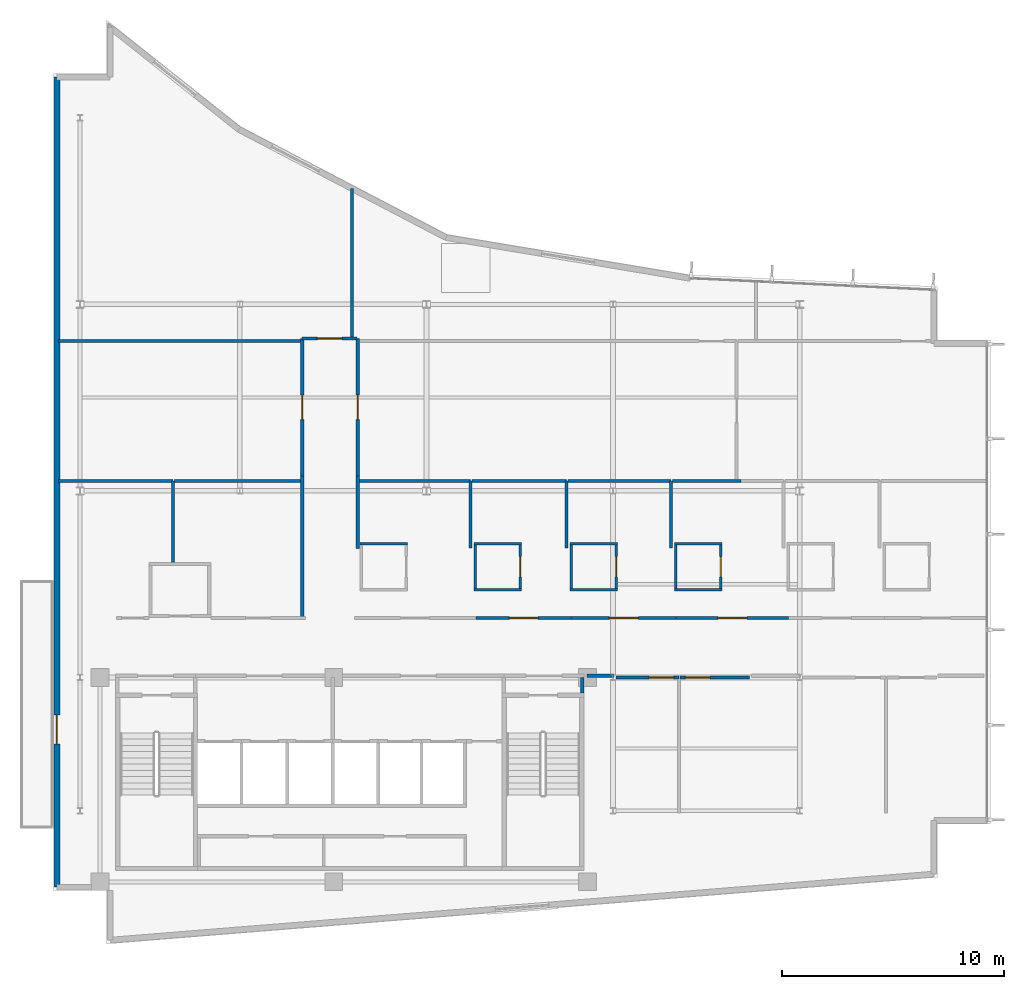
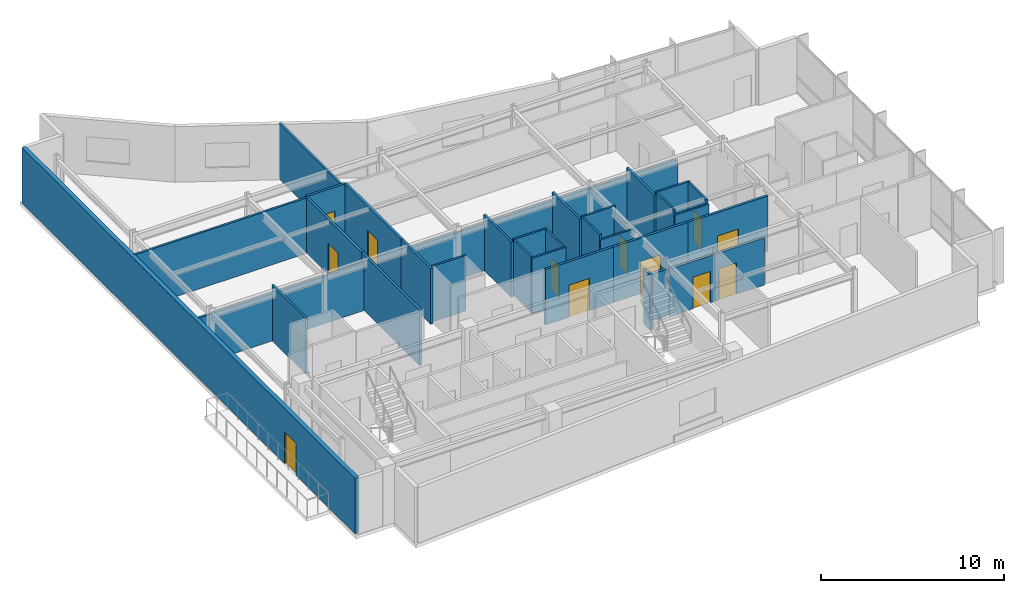
# One storey, part 11 of 16: 38 walls, 12 doors, 12 openings.
"""IFC4 building model written with IfcOpenShell, lengths in metres."""

from ifc_helpers import new_model, si_unit, direction, frame, frame_2d, origin, place, context, subcontext, project, spatial, rectangle, extrude, material, layer, layer_set, type_object, element, fill, save


model = new_model("IFC4")

# Units and contexts
model_context = context("Model", 3, precision=1e-05, world=origin(), true_north=direction((0.0, 1.0)))
body_context = subcontext(model_context, "Body", "Model", "MODEL_VIEW")
ifc_project = project(units=[si_unit("LENGTHUNIT", "METRE"), si_unit("AREAUNIT", "SQUARE_METRE"), si_unit("VOLUMEUNIT", "CUBIC_METRE"), si_unit("PLANEANGLEUNIT", "RADIAN"), si_unit("MASSUNIT", "GRAM", prefix="KILO")], contexts=[model_context])

# Site, building, storey
site_placement = place(None, origin())
site = spatial("IfcSite", under=ifc_project, at=site_placement, CompositionType="ELEMENT")
building_placement = place(site_placement, origin())
building = spatial("IfcBuilding", under=site, at=building_placement, Name="Varnakote Quay Hospital", CompositionType="ELEMENT")
storey_placement = place(building_placement, frame((0.0, 0.0, 260.5)))
storey = spatial("IfcBuildingStorey", under=building, at=storey_placement, Name="L64", CompositionType="ELEMENT", Elevation=260.5)

# Walls
ifc_material_1 = material(Name="Fire-rated acoustic gypsum stud wall", Category="gypsum")
ifc_layer_1 = layer(ifc_material_1, 0.159912109375)
ifc_layer_set_1 = layer_set([ifc_layer_1], Name="Fire-rated acoustic gypsum stud wall")
wall_type_1 = type_object("IfcWallType", Name="WL-COMP-160", PredefinedType="PARTITIONING", material=ifc_layer_set_1)
wall_1_placement = place(storey_placement, frame((23.820068359375, 11.300048828125, 0.0), z_axis=(0.0, 0.0, 1.0), x_axis=(0.0, 1.0, 0.0)))
element("IfcWall", 1, at=wall_1_placement, inside=storey, type_object=wall_type_1, Name="L64 East Stair Vestibule East Wall", PredefinedType="PARTITIONING", context=body_context, shape_type="SweptSolid", body=[
    extrude(rectangle(XDim=0.699951171875, YDim=0.159912109375, at=frame_2d((0.35009765625, 0.0))), origin(), (0.0, 0.0, 1.0), 3.7099609375),
])
wall_2_placement = place(storey_placement, frame((24.02001953125, 12.080078125, 0.0), z_axis=(0.0, 0.0, 1.0), x_axis=(1.0, 0.0, 0.0)))
element("IfcWall", 2, at=wall_2_placement, inside=storey, type_object=wall_type_1, Name="L64 Corridor South Gap Wall", PredefinedType="PARTITIONING", context=body_context, shape_type="SweptSolid", body=[
    extrude(rectangle(XDim=1.2177734375, YDim=0.159912109375, at=frame_2d((0.60888671875, 0.0))), origin(), (0.0, 0.0, 1.0), 3.156982421875),
])
ifc_material_2 = material(Name="Moisture-resistant bathroom partition", Category="gypsum")
ifc_layer_2 = layer(ifc_material_2, 0.114990234375)
ifc_layer_set_2 = layer_set([ifc_layer_2], Name="Moisture-resistant bathroom partition")
wall_type_2 = type_object("IfcWallType", Name="WL-ENS-115", PredefinedType="PARTITIONING", material=ifc_layer_set_2)
wall_3_placement = place(storey_placement, frame((13.804931640625, 18.017578125, 0.0), z_axis=(0.0, 0.0, 1.0), x_axis=(1.0, 0.0, 0.0)))
element("IfcWall", 3, at=wall_3_placement, inside=storey, type_object=wall_type_2, Name="L64 Inpatient En-Suite Bathroom 01 N Wall", PredefinedType="PARTITIONING", context=body_context, shape_type="SweptSolid", body=[
    extrude(rectangle(XDim=2.150146484375, YDim=0.114990234375, at=frame_2d((1.0751953125, 0.0))), origin(), (0.0, 0.0, 1.0), 3.7099609375),
])
for number, where, z_axis, x_axis, name in (
    (4, (18.93505859375, 15.952392578125, 0.0), (0.0, 0.0, 1.0), (1.0, 0.0, 0.0), "L64 Inpatient En-Suite Bathroom 02 S Wall"),
    (5, (18.93505859375, 18.017578125, 0.0), (0.0, 0.0, 1.0), (1.0, 0.0, 0.0), "L64 Inpatient En-Suite Bathroom 02 N Wall"),
):
    element("IfcWall", number, at=place(storey_placement, frame(where, z_axis=z_axis, x_axis=x_axis)), inside=storey, type_object=wall_type_2, Name=name, PredefinedType="PARTITIONING", context=body_context, shape_type="SweptSolid", body=[
        extrude(rectangle(XDim=2.14990234375, YDim=0.114990234375, at=frame_2d((1.074951171875, 0.0))), origin(), (0.0, 0.0, 1.0), 3.7099609375),
    ])
wall_4_placement = place(storey_placement, frame((18.992431640625, 16.010009765625, 0.0), z_axis=(0.0, 0.0, 1.0), x_axis=(0.0, 1.0, 0.0)))
element("IfcWall", 6, at=wall_4_placement, inside=storey, type_object=wall_type_2, Name="L64 Inpatient En-Suite Bathroom 02 W Wall", PredefinedType="PARTITIONING", context=body_context, shape_type="SweptSolid", body=[
    extrude(rectangle(XDim=1.949951171875, YDim=0.114990234375, at=frame_2d((0.97509765625, 0.0))), origin(), (0.0, 0.0, 1.0), 3.7099609375),
])

# Wall, opening, door
wall_5_placement = place(storey_placement, frame((21.027587890625, 16.010009765625, 0.0), z_axis=(0.0, 0.0, 1.0), x_axis=(0.0, 1.0, 0.0)))
wall_5 = element("IfcWall", 7, at=wall_5_placement, inside=storey, type_object=wall_type_2, Name="L64 Inpatient En-Suite Bathroom 02 E Wall", PredefinedType="PARTITIONING", context=body_context, shape_type="SweptSolid", body=[
    extrude(rectangle(XDim=1.949951171875, YDim=0.114990234375, at=frame_2d((0.97509765625, 0.0))), origin(), (0.0, 0.0, 1.0), 3.7099609375),
])
opening_1_placement = place(wall_5_placement, frame((0.514892578125, 0.0, 0.0)))
opening_1 = element("IfcOpeningElement", 8, at=opening_1_placement, cuts=wall_5, Name="Opening D-L64-ENS02", PredefinedType="OPENING", context=body_context, shape_type="SweptSolid", body=[
    extrude(rectangle(XDim=0.919921875, YDim=2.10009765625, at=frame_2d((0.4599609375, 1.050048828125))), frame((0.0, 0.0673828125, 0.0), z_axis=(0.0, -1.0, 0.0), x_axis=(1.0, 0.0, 0.0)), (0.0, 0.0, 1.0), 0.135009765625),
])
ifc_material_3 = material(Name="Moisture-sealed en-suite bathroom door")
door_type_1 = type_object("IfcDoorType", Name="DR-ENS-920x2100", OperationType="NOTDEFINED", PredefinedType="DOOR", material=ifc_material_3)
door_1_placement = place(opening_1_placement, origin())
door_1 = element("IfcDoor", 9, at=door_1_placement, inside=storey, type_object=door_type_1, Name="L64 Inpatient En-Suite Bathroom 02 Door", OperationType="SINGLE_SWING_RIGHT", OverallHeight=2.10009765625, OverallWidth=0.919921875, PredefinedType="DOOR", context=body_context, shape_type="SweptSolid", body=[
    extrude(rectangle(XDim=0.919921875, YDim=2.10009765625, at=frame_2d((0.4599609375, 1.050048828125))), frame((0.0, 0.02490234375, 0.0), z_axis=(0.0, -1.0, 0.0), x_axis=(1.0, 0.0, 0.0)), (0.0, 0.0, 1.0), 0.050048828125),
])
fill(opening_1, door_1)

# Walls
wall_6_placement = place(storey_placement, frame((23.2548828125, 15.952392578125, 0.0), z_axis=(0.0, 0.0, 1.0), x_axis=(1.0, 0.0, 0.0)))
element("IfcWall", 10, at=wall_6_placement, inside=storey, type_object=wall_type_2, Name="L64 Inpatient En-Suite Bathroom 03 S Wall", PredefinedType="PARTITIONING", context=body_context, shape_type="SweptSolid", body=[
    extrude(rectangle(XDim=2.150146484375, YDim=0.114990234375, at=frame_2d((1.0751953125, 0.0))), origin(), (0.0, 0.0, 1.0), 3.428955078125),
])
wall_7_placement = place(storey_placement, frame((23.2548828125, 18.017578125, 0.0), z_axis=(0.0, 0.0, 1.0), x_axis=(1.0, 0.0, 0.0)))
element("IfcWall", 11, at=wall_7_placement, inside=storey, type_object=wall_type_2, Name="L64 Inpatient En-Suite Bathroom 03 N Wall", PredefinedType="PARTITIONING", context=body_context, shape_type="SweptSolid", body=[
    extrude(rectangle(XDim=2.150146484375, YDim=0.114990234375, at=frame_2d((1.0751953125, 0.0))), origin(), (0.0, 0.0, 1.0), 3.7099609375),
])
wall_8_placement = place(storey_placement, frame((23.3125, 16.010009765625, 0.0), z_axis=(0.0, 0.0, 1.0), x_axis=(0.0, 1.0, 0.0)))
element("IfcWall", 12, at=wall_8_placement, inside=storey, type_object=wall_type_2, Name="L64 Inpatient En-Suite Bathroom 03 W Wall", PredefinedType="PARTITIONING", context=body_context, shape_type="SweptSolid", body=[
    extrude(rectangle(XDim=1.949951171875, YDim=0.114990234375, at=frame_2d((0.97509765625, 0.0))), origin(), (0.0, 0.0, 1.0), 3.7099609375),
])

# Wall, opening, door
wall_9_placement = place(storey_placement, frame((25.347412109375, 16.010009765625, 0.0), z_axis=(0.0, 0.0, 1.0), x_axis=(0.0, 1.0, 0.0)))
wall_9 = element("IfcWall", 13, at=wall_9_placement, inside=storey, type_object=wall_type_2, Name="L64 Inpatient En-Suite Bathroom 03 E Wall", PredefinedType="PARTITIONING", context=body_context, shape_type="SweptSolid", body=[
    extrude(rectangle(XDim=1.949951171875, YDim=0.114990234375, at=frame_2d((0.97509765625, 0.0))), origin(), (0.0, 0.0, 1.0), 3.156982421875),
])
opening_2_placement = place(wall_9_placement, frame((0.514892578125, 0.0, 0.0)))
opening_2 = element("IfcOpeningElement", 14, at=opening_2_placement, cuts=wall_9, Name="Opening D-L64-ENS03", PredefinedType="OPENING", context=body_context, shape_type="SweptSolid", body=[
    extrude(rectangle(XDim=0.919921875, YDim=2.10009765625, at=frame_2d((0.4599609375, 1.050048828125))), frame((0.0, 0.0673828125, 0.0), z_axis=(0.0, -1.0, 0.0), x_axis=(1.0, 0.0, 0.0)), (0.0, 0.0, 1.0), 0.135009765625),
])
door_2_placement = place(opening_2_placement, origin())
door_2 = element("IfcDoor", 15, at=door_2_placement, inside=storey, type_object=door_type_1, Name="L64 Inpatient En-Suite Bathroom 03 Door", OperationType="SINGLE_SWING_LEFT", OverallHeight=2.10009765625, OverallWidth=0.919921875, PredefinedType="DOOR", context=body_context, shape_type="SweptSolid", body=[
    extrude(rectangle(XDim=0.919921875, YDim=2.10009765625, at=frame_2d((0.4599609375, 1.050048828125))), frame((0.0, 0.02490234375, 0.0), z_axis=(0.0, -1.0, 0.0), x_axis=(1.0, 0.0, 0.0)), (0.0, 0.0, 1.0), 0.050048828125),
])
fill(opening_2, door_2)

# Walls
wall_10_placement = place(storey_placement, frame((27.955078125, 15.952392578125, 0.0), z_axis=(0.0, 0.0, 1.0), x_axis=(1.0, 0.0, 0.0)))
element("IfcWall", 16, at=wall_10_placement, inside=storey, type_object=wall_type_2, Name="L64 Inpatient En-Suite Bathroom 04 S Wall", PredefinedType="PARTITIONING", context=body_context, shape_type="SweptSolid", body=[
    extrude(rectangle(XDim=2.14990234375, YDim=0.114990234375, at=frame_2d((1.074951171875, 0.0))), origin(), (0.0, 0.0, 1.0), 3.428955078125),
])
wall_11_placement = place(storey_placement, frame((27.955078125, 18.017578125, 0.0), z_axis=(0.0, 0.0, 1.0), x_axis=(1.0, 0.0, 0.0)))
element("IfcWall", 17, at=wall_11_placement, inside=storey, type_object=wall_type_2, Name="L64 Inpatient En-Suite Bathroom 04 N Wall", PredefinedType="PARTITIONING", context=body_context, shape_type="SweptSolid", body=[
    extrude(rectangle(XDim=2.14990234375, YDim=0.114990234375, at=frame_2d((1.074951171875, 0.0))), origin(), (0.0, 0.0, 1.0), 3.7099609375),
])
wall_12_placement = place(storey_placement, frame((28.012451171875, 16.010009765625, 0.0), z_axis=(0.0, 0.0, 1.0), x_axis=(0.0, 1.0, 0.0)))
element("IfcWall", 18, at=wall_12_placement, inside=storey, type_object=wall_type_2, Name="L64 Inpatient En-Suite Bathroom 04 W Wall", PredefinedType="PARTITIONING", context=body_context, shape_type="SweptSolid", body=[
    extrude(rectangle(XDim=1.949951171875, YDim=0.114990234375, at=frame_2d((0.97509765625, 0.0))), origin(), (0.0, 0.0, 1.0), 3.7099609375),
])

# Wall, opening, door
wall_13_placement = place(storey_placement, frame((30.047607421875, 16.010009765625, 0.0), z_axis=(0.0, 0.0, 1.0), x_axis=(0.0, 1.0, 0.0)))
wall_13 = element("IfcWall", 19, at=wall_13_placement, inside=storey, type_object=wall_type_2, Name="L64 Inpatient En-Suite Bathroom 04 E Wall", PredefinedType="PARTITIONING", context=body_context, shape_type="SweptSolid", body=[
    extrude(rectangle(XDim=1.949951171875, YDim=0.114990234375, at=frame_2d((0.97509765625, 0.0))), origin(), (0.0, 0.0, 1.0), 3.7099609375),
])
opening_3_placement = place(wall_13_placement, frame((0.514892578125, 0.0, 0.0)))
opening_3 = element("IfcOpeningElement", 20, at=opening_3_placement, cuts=wall_13, Name="Opening D-L64-ENS04", PredefinedType="OPENING", context=body_context, shape_type="SweptSolid", body=[
    extrude(rectangle(XDim=0.919921875, YDim=2.10009765625, at=frame_2d((0.4599609375, 1.050048828125))), frame((0.0, 0.0673828125, 0.0), z_axis=(0.0, -1.0, 0.0), x_axis=(1.0, 0.0, 0.0)), (0.0, 0.0, 1.0), 0.135009765625),
])
door_3_placement = place(opening_3_placement, origin())
door_3 = element("IfcDoor", 21, at=door_3_placement, inside=storey, type_object=door_type_1, Name="L64 Inpatient En-Suite Bathroom 04 Door", OperationType="SINGLE_SWING_RIGHT", OverallHeight=2.10009765625, OverallWidth=0.919921875, PredefinedType="DOOR", context=body_context, shape_type="SweptSolid", body=[
    extrude(rectangle(XDim=0.919921875, YDim=2.10009765625, at=frame_2d((0.4599609375, 1.050048828125))), frame((0.0, 0.02490234375, 0.0), z_axis=(0.0, -1.0, 0.0), x_axis=(1.0, 0.0, 0.0)), (0.0, 0.0, 1.0), 0.050048828125),
])
fill(opening_3, door_3)

ifc_material_4 = material(Name="Precast concrete N50 (f'c 50 MPa)", Category="concrete")
ifc_layer_3 = layer(ifc_material_4, 0.260009765625)
ifc_layer_set_3 = layer_set([ifc_layer_3], Name="Precast concrete N50 (f'c 50 MPa)")
wall_type_3 = type_object("IfcWallType", Name="WL-EXT-BRICK-260", PredefinedType="STANDARD", material=ifc_layer_set_3)
wall_14_placement = place(storey_placement, frame((0.159912109375, 39.0400390625, 0.0), z_axis=(0.0, 0.0, 1.0), x_axis=(0.0, -1.0, 0.0)))
wall_14 = element("IfcWall", 22, at=wall_14_placement, inside=storey, type_object=wall_type_3, Name="L64 Healing Terrace Portal Brick Wall", PredefinedType="STANDARD", context=body_context, shape_type="SweptSolid", body=[
    extrude(rectangle(XDim=36.47998046875, YDim=0.260009765625, at=frame_2d((18.239990234375, 0.0))), origin(), (0.0, 0.0, 1.0), 3.7099609375),
])
opening_4_placement = place(wall_14_placement, frame((28.73681640625, 0.0, 0.0)))
opening_4 = element("IfcOpeningElement", 23, at=opening_4_placement, cuts=wall_14, Name="Opening DT-L64", PredefinedType="OPENING", context=body_context, shape_type="SweptSolid", body=[
    extrude(rectangle(XDim=1.300048828125, YDim=2.14990234375, at=frame_2d((0.64990234375, 1.074951171875))), frame((0.0, 0.139892578125, 0.0), z_axis=(0.0, -1.0, 0.0), x_axis=(1.0, 0.0, 0.0)), (0.0, 0.0, 1.0), 0.280029296875),
])
ifc_material_5 = material(Name="Anodised aluminium glazed terrace door", Category="aluminium")
door_type_2 = type_object("IfcDoorType", Name="DR-EXT-TERR-1300x2150", OperationType="NOTDEFINED", PredefinedType="DOOR", material=ifc_material_5)
door_4_placement = place(opening_4_placement, origin())
door_4 = element("IfcDoor", 24, at=door_4_placement, inside=storey, type_object=door_type_2, Name="L64 Waterfront Healing Terrace Door", OperationType="SINGLE_SWING_LEFT", OverallHeight=2.14990234375, OverallWidth=1.300048828125, PredefinedType="DOOR", context=body_context, shape_type="SweptSolid", body=[
    extrude(rectangle(XDim=1.300048828125, YDim=2.14990234375, at=frame_2d((0.64990234375, 1.074951171875))), frame((0.0, 0.02490234375, 0.0), z_axis=(0.0, -1.0, 0.0), x_axis=(1.0, 0.0, 0.0)), (0.0, 0.0, 1.0), 0.050048828125),
])
fill(opening_4, door_4)

# Walls
ifc_material_6 = material(Name="Smoke-proof clinical partition", Category="gypsum")
ifc_layer_4 = layer(ifc_material_6, 0.135009765625)
ifc_layer_set_4 = layer_set([ifc_layer_4], Name="Smoke-proof clinical partition")
wall_type_4 = type_object("IfcWallType", Name="WL-SMOKE-135", PredefinedType="PARTITIONING", material=ifc_layer_set_4)
wall_15_placement = place(storey_placement, frame((5.389892578125, 17.139892578125, 0.0), z_axis=(0.0, 0.0, 1.0), x_axis=(0.0, 1.0, 0.0)))
element("IfcWall", 25, at=wall_15_placement, inside=storey, type_object=wall_type_4, Name="L64 Clinical Interior Partition", PredefinedType="PARTITIONING", context=body_context, shape_type="SweptSolid", body=[
    extrude(rectangle(XDim=3.7001953125, YDim=0.135009765625, at=frame_2d((1.85009765625, 0.0))), origin(), (0.0, 0.0, 1.0), 3.7099609375),
])
wall_16_placement = place(storey_placement, frame((5.389892578125, 20.840087890625, 0.0), z_axis=(0.0, 0.0, 1.0), x_axis=(-1.0, 0.0, 0.0)))
element("IfcWall", 26, at=wall_16_placement, inside=storey, type_object=wall_type_4, Name="L64 Clinical Interior Partition", PredefinedType="PARTITIONING", context=body_context, shape_type="SweptSolid", body=[
    extrude(rectangle(XDim=5.14990234375, YDim=0.135009765625, at=frame_2d((2.574951171875, 0.0))), origin(), (0.0, 0.0, 1.0), 3.156982421875),
])
wall_17_placement = place(storey_placement, frame((11.1201171875, 20.840087890625, 0.0), z_axis=(0.0, 0.0, 1.0), x_axis=(-1.0, 0.0, 0.0)))
element("IfcWall", 27, at=wall_17_placement, inside=storey, type_object=wall_type_4, Name="L64 Clinical Interior Partition", PredefinedType="PARTITIONING", context=body_context, shape_type="SweptSolid", body=[
    extrude(rectangle(XDim=5.672607421875, YDim=0.135009765625, at=frame_2d((2.83642578125, 0.0))), origin(), (0.0, 0.0, 1.0), 3.156982421875),
])
wall_18_placement = place(storey_placement, frame((18.7900390625, 17.83251953125, 0.0), z_axis=(0.0, 0.0, 1.0), x_axis=(0.0, 1.0, 0.0)))
element("IfcWall", 28, at=wall_18_placement, inside=storey, type_object=wall_type_4, Name="L64 Clinical Interior Partition", PredefinedType="PARTITIONING", context=body_context, shape_type="SweptSolid", body=[
    extrude(rectangle(XDim=3.007568359375, YDim=0.135009765625, at=frame_2d((1.50390625, 0.0))), origin(), (0.0, 0.0, 1.0), 3.7099609375),
])
wall_19_placement = place(storey_placement, frame((18.7900390625, 20.840087890625, 0.0), z_axis=(0.0, 0.0, 1.0), x_axis=(-1.0, 0.0, 0.0)))
element("IfcWall", 29, at=wall_19_placement, inside=storey, type_object=wall_type_4, Name="L64 Clinical Interior Partition", PredefinedType="PARTITIONING", context=body_context, shape_type="SweptSolid", body=[
    extrude(rectangle(XDim=5.010009765625, YDim=0.135009765625, at=frame_2d((2.5048828125, 0.0))), origin(), (0.0, 0.0, 1.0), 3.156982421875),
])
wall_20_placement = place(storey_placement, frame((23.110107421875, 17.83251953125, 0.0), z_axis=(0.0, 0.0, 1.0), x_axis=(0.0, 1.0, 0.0)))
element("IfcWall", 30, at=wall_20_placement, inside=storey, type_object=wall_type_4, Name="L64 Clinical Interior Partition", PredefinedType="PARTITIONING", context=body_context, shape_type="SweptSolid", body=[
    extrude(rectangle(XDim=3.007568359375, YDim=0.135009765625, at=frame_2d((1.50390625, 0.0))), origin(), (0.0, 0.0, 1.0), 3.7099609375),
])
wall_21_placement = place(storey_placement, frame((23.110107421875, 20.840087890625, 0.0), z_axis=(0.0, 0.0, 1.0), x_axis=(-1.0, 0.0, 0.0)))
element("IfcWall", 31, at=wall_21_placement, inside=storey, type_object=wall_type_4, Name="L64 Clinical Interior Partition", PredefinedType="PARTITIONING", context=body_context, shape_type="SweptSolid", body=[
    extrude(rectangle(XDim=4.2626953125, YDim=0.135009765625, at=frame_2d((2.13134765625, 0.0))), origin(), (0.0, 0.0, 1.0), 3.156982421875),
])
wall_22_placement = place(storey_placement, frame((27.81005859375, 17.83251953125, 0.0), z_axis=(0.0, 0.0, 1.0), x_axis=(0.0, 1.0, 0.0)))
element("IfcWall", 32, at=wall_22_placement, inside=storey, type_object=wall_type_4, Name="L64 Clinical Interior Partition", PredefinedType="PARTITIONING", context=body_context, shape_type="SweptSolid", body=[
    extrude(rectangle(XDim=3.007568359375, YDim=0.135009765625, at=frame_2d((1.50390625, 0.0))), origin(), (0.0, 0.0, 1.0), 3.7099609375),
])
wall_23_placement = place(storey_placement, frame((27.81005859375, 20.840087890625, 0.0), z_axis=(0.0, 0.0, 1.0), x_axis=(-1.0, 0.0, 0.0)))
element("IfcWall", 33, at=wall_23_placement, inside=storey, type_object=wall_type_4, Name="L64 Clinical Interior Partition", PredefinedType="PARTITIONING", context=body_context, shape_type="SweptSolid", body=[
    extrude(rectangle(XDim=4.642578125, YDim=0.135009765625, at=frame_2d((2.3212890625, 0.0))), origin(), (0.0, 0.0, 1.0), 3.156982421875),
])
wall_24_placement = place(storey_placement, frame((30.967529296875, 20.840087890625, 0.0), z_axis=(0.0, 0.0, 1.0), x_axis=(-1.0, 0.0, 0.0)))
element("IfcWall", 34, at=wall_24_placement, inside=storey, type_object=wall_type_4, Name="L64 Clinical Interior Partition", PredefinedType="PARTITIONING", context=body_context, shape_type="SweptSolid", body=[
    extrude(rectangle(XDim=3.10009765625, YDim=0.135009765625, at=frame_2d((1.550048828125, 0.0))), origin(), (0.0, 0.0, 1.0), 3.156982421875),
])
wall_25_placement = place(storey_placement, frame((11.1201171875, 27.139892578125, 0.0), z_axis=(0.0, 0.0, 1.0), x_axis=(-1.0, 0.0, 0.0)))
element("IfcWall", 35, at=wall_25_placement, inside=storey, type_object=wall_type_4, Name="L64 Clinical Interior Partition", PredefinedType="PARTITIONING", context=body_context, shape_type="SweptSolid", body=[
    extrude(rectangle(XDim=10.880126953125, YDim=0.135009765625, at=frame_2d((5.43994140625, 0.0))), origin(), (0.0, 0.0, 1.0), 3.7099609375),
])
wall_26_placement = place(storey_placement, frame((13.449951171875, 27.320068359375, 0.0), z_axis=(0.0, 0.0, 1.0), x_axis=(0.0, 1.0, 0.0)))
element("IfcWall", 36, at=wall_26_placement, inside=storey, type_object=wall_type_4, Name="L64 Clinical Interior Partition", PredefinedType="PARTITIONING", context=body_context, shape_type="SweptSolid", body=[
    extrude(rectangle(XDim=6.691162109375, YDim=0.135009765625, at=frame_2d((3.345703125, 0.0))), origin(), (0.0, 0.0, 1.0), 3.7099609375),
])

# Wall, opening, door
ifc_material_7 = material(Name="Fire-rated clinical gypsum partition", Category="gypsum")
ifc_layer_5 = layer(ifc_material_7, 0.14990234375)
ifc_layer_set_5 = layer_set([ifc_layer_5], Name="Fire-rated clinical gypsum partition")
wall_type_5 = type_object("IfcWallType", Name="WL-WARD-150", PredefinedType="PARTITIONING", material=ifc_layer_set_5)
wall_27_placement = place(storey_placement, frame((28.159912109375, 12.0, 0.0), z_axis=(0.0, 0.0, 1.0), x_axis=(-1.0, 0.0, 0.0)))
wall_27 = element("IfcWall", 37, at=wall_27_placement, inside=storey, type_object=wall_type_5, Name="L64 Clinical Interior Partition", PredefinedType="PARTITIONING", context=body_context, shape_type="SweptSolid", body=[
    extrude(rectangle(XDim=2.8330078125, YDim=0.14990234375, at=frame_2d((1.41650390625, 0.0))), origin(), (0.0, 0.0, 1.0), 3.156982421875),
])
opening_5_placement = place(wall_27_placement, frame((0.2333984375, 0.0, 0.0)))
opening_5 = element("IfcOpeningElement", 38, at=opening_5_placement, cuts=wall_27, Name="Opening D-L64-RL1", PredefinedType="OPENING", context=body_context, shape_type="SweptSolid", body=[
    extrude(rectangle(XDim=1.10009765625, YDim=2.10009765625, at=frame_2d((0.550048828125, 1.050048828125))), frame((0.0, 0.0849609375, 0.0), z_axis=(0.0, -1.0, 0.0), x_axis=(1.0, 0.0, 0.0)), (0.0, 0.0, 1.0), 0.169921875),
])
ifc_material_8 = material(Name="Acoustic timber clinical consult door", Category="wood")
door_type_3 = type_object("IfcDoorType", Name="DR-CLIN-FD30S-1100x2100", OperationType="NOTDEFINED", PredefinedType="DOOR", material=ifc_material_8)
door_5_placement = place(opening_5_placement, origin())
door_5 = element("IfcDoor", 39, at=door_5_placement, inside=storey, type_object=door_type_3, Name="L64 Day Infusion Treatment Suite Door", OperationType="SINGLE_SWING_LEFT", OverallHeight=2.10009765625, OverallWidth=1.10009765625, PredefinedType="DOOR", context=body_context, shape_type="SweptSolid", body=[
    extrude(rectangle(XDim=1.10009765625, YDim=2.10009765625, at=frame_2d((0.550048828125, 1.050048828125))), frame((0.0, 0.02490234375, 0.0), z_axis=(0.0, -1.0, 0.0), x_axis=(1.0, 0.0, 0.0)), (0.0, 0.0, 1.0), 0.050048828125),
])
fill(opening_5, door_5)

wall_28_placement = place(storey_placement, frame((31.35009765625, 12.0, 0.0), z_axis=(0.0, 0.0, 1.0), x_axis=(-1.0, 0.0, 0.0)))
wall_28 = element("IfcWall", 40, at=wall_28_placement, inside=storey, type_object=wall_type_5, Name="L64 Clinical Interior Partition", PredefinedType="PARTITIONING", context=body_context, shape_type="SweptSolid", body=[
    extrude(rectangle(XDim=3.132568359375, YDim=0.14990234375, at=frame_2d((1.56640625, 0.0))), origin(), (0.0, 0.0, 1.0), 3.156982421875),
])
opening_6_placement = place(wall_28_placement, frame((1.791748046875, 0.0, 0.0)))
opening_6 = element("IfcOpeningElement", 41, at=opening_6_placement, cuts=wall_28, Name="Opening D-L64-RL2", PredefinedType="OPENING", context=body_context, shape_type="SweptSolid", body=[
    extrude(rectangle(XDim=1.10009765625, YDim=2.10009765625, at=frame_2d((0.550048828125, 1.050048828125))), frame((0.0, 0.0849609375, 0.0), z_axis=(0.0, -1.0, 0.0), x_axis=(1.0, 0.0, 0.0)), (0.0, 0.0, 1.0), 0.169921875),
])
door_6_placement = place(opening_6_placement, origin())
door_6 = element("IfcDoor", 42, at=door_6_placement, inside=storey, type_object=door_type_3, Name="L64 Telemedicine Consult Office Door", OperationType="SINGLE_SWING_RIGHT", OverallHeight=2.10009765625, OverallWidth=1.10009765625, PredefinedType="DOOR", context=body_context, shape_type="SweptSolid", body=[
    extrude(rectangle(XDim=1.10009765625, YDim=2.10009765625, at=frame_2d((0.550048828125, 1.050048828125))), frame((0.0, 0.02490234375, 0.0), z_axis=(0.0, -1.0, 0.0), x_axis=(1.0, 0.0, 0.0)), (0.0, 0.0, 1.0), 0.050048828125),
])
fill(opening_6, door_6)

wall_29_placement = place(storey_placement, frame((23.3359375, 14.679931640625, 0.0), z_axis=(0.0, 0.0, 1.0), x_axis=(-1.0, 0.0, 0.0)))
wall_29 = element("IfcWall", 43, at=wall_29_placement, inside=storey, type_object=wall_type_5, Name="L64 Clinical Interior Partition", PredefinedType="PARTITIONING", context=body_context, shape_type="SweptSolid", body=[
    extrude(rectangle(XDim=4.31787109375, YDim=0.14990234375, at=frame_2d((2.158935546875, 0.0))), origin(), (0.0, 0.0, 1.0), 3.7099609375),
])
opening_7_placement = place(wall_29_placement, frame((1.509033203125, 0.0, 0.0)))
opening_7 = element("IfcOpeningElement", 44, at=opening_7_placement, cuts=wall_29, Name="Opening D-L64-BR02", PredefinedType="OPENING", context=body_context, shape_type="SweptSolid", body=[
    extrude(rectangle(XDim=1.300048828125, YDim=2.14990234375, at=frame_2d((0.64990234375, 1.074951171875))), frame((0.0, 0.0849609375, 0.0), z_axis=(0.0, -1.0, 0.0), x_axis=(1.0, 0.0, 0.0)), (0.0, 0.0, 1.0), 0.169921875),
])
ifc_material_9 = material(Name="Solid-core timber clinical bed door", Category="wood")
door_type_4 = type_object("IfcDoorType", Name="DR-WARD-FD30S-1300x2150", OperationType="NOTDEFINED", PredefinedType="DOOR", material=ifc_material_9)
door_7_placement = place(opening_7_placement, origin())
door_7 = element("IfcDoor", 45, at=door_7_placement, inside=storey, type_object=door_type_4, Name="L64 Resident Care Bedroom 02 Door", OperationType="SINGLE_SWING_RIGHT", OverallHeight=2.14990234375, OverallWidth=1.300048828125, PredefinedType="DOOR", context=body_context, shape_type="SweptSolid", body=[
    extrude(rectangle(XDim=1.300048828125, YDim=2.14990234375, at=frame_2d((0.64990234375, 1.074951171875))), frame((0.0, 0.02490234375, 0.0), z_axis=(0.0, -1.0, 0.0), x_axis=(1.0, 0.0, 0.0)), (0.0, 0.0, 1.0), 0.050048828125),
])
fill(opening_7, door_7)

wall_30_placement = place(storey_placement, frame((28.035888671875, 14.679931640625, 0.0), z_axis=(0.0, 0.0, 1.0), x_axis=(-1.0, 0.0, 0.0)))
wall_30 = element("IfcWall", 46, at=wall_30_placement, inside=storey, type_object=wall_type_5, Name="L64 Clinical Interior Partition", PredefinedType="PARTITIONING", context=body_context, shape_type="SweptSolid", body=[
    extrude(rectangle(XDim=4.697998046875, YDim=0.14990234375, at=frame_2d((2.34912109375, 0.0))), origin(), (0.0, 0.0, 1.0), 3.7099609375),
])
opening_8_placement = place(wall_30_placement, frame((1.698974609375, 0.0, 0.0)))
opening_8 = element("IfcOpeningElement", 47, at=opening_8_placement, cuts=wall_30, Name="Opening D-L64-BR03", PredefinedType="OPENING", context=body_context, shape_type="SweptSolid", body=[
    extrude(rectangle(XDim=1.300048828125, YDim=2.14990234375, at=frame_2d((0.64990234375, 1.074951171875))), frame((0.0, 0.0849609375, 0.0), z_axis=(0.0, -1.0, 0.0), x_axis=(1.0, 0.0, 0.0)), (0.0, 0.0, 1.0), 0.169921875),
])
door_8_placement = place(opening_8_placement, origin())
door_8 = element("IfcDoor", 48, at=door_8_placement, inside=storey, type_object=door_type_4, Name="L64 Resident Care Bedroom 03 Door", OperationType="SINGLE_SWING_LEFT", OverallHeight=2.14990234375, OverallWidth=1.300048828125, PredefinedType="DOOR", context=body_context, shape_type="SweptSolid", body=[
    extrude(rectangle(XDim=1.300048828125, YDim=2.14990234375, at=frame_2d((0.64990234375, 1.074951171875))), frame((0.0, 0.02490234375, 0.0), z_axis=(0.0, -1.0, 0.0), x_axis=(1.0, 0.0, 0.0)), (0.0, 0.0, 1.0), 0.050048828125),
])
fill(opening_8, door_8)

wall_31_placement = place(storey_placement, frame((33.10595703125, 14.679931640625, 0.0), z_axis=(0.0, 0.0, 1.0), x_axis=(-1.0, 0.0, 0.0)))
wall_31 = element("IfcWall", 49, at=wall_31_placement, inside=storey, type_object=wall_type_5, Name="L64 Clinical Interior Partition", PredefinedType="PARTITIONING", context=body_context, shape_type="SweptSolid", body=[
    extrude(rectangle(XDim=5.06787109375, YDim=0.14990234375, at=frame_2d((2.533935546875, 0.0))), origin(), (0.0, 0.0, 1.0), 3.7099609375),
])
opening_9_placement = place(wall_31_placement, frame((1.884033203125, 0.0, 0.0)))
opening_9 = element("IfcOpeningElement", 50, at=opening_9_placement, cuts=wall_31, Name="Opening D-L64-BR04", PredefinedType="OPENING", context=body_context, shape_type="SweptSolid", body=[
    extrude(rectangle(XDim=1.300048828125, YDim=2.14990234375, at=frame_2d((0.64990234375, 1.074951171875))), frame((0.0, 0.0849609375, 0.0), z_axis=(0.0, -1.0, 0.0), x_axis=(1.0, 0.0, 0.0)), (0.0, 0.0, 1.0), 0.169921875),
])
door_9_placement = place(opening_9_placement, origin())
door_9 = element("IfcDoor", 51, at=door_9_placement, inside=storey, type_object=door_type_4, Name="L64 Resident Care Bedroom 04 Door", OperationType="SINGLE_SWING_RIGHT", OverallHeight=2.14990234375, OverallWidth=1.300048828125, PredefinedType="DOOR", context=body_context, shape_type="SweptSolid", body=[
    extrude(rectangle(XDim=1.300048828125, YDim=2.14990234375, at=frame_2d((0.64990234375, 1.074951171875))), frame((0.0, 0.02490234375, 0.0), z_axis=(0.0, -1.0, 0.0), x_axis=(1.0, 0.0, 0.0)), (0.0, 0.0, 1.0), 0.050048828125),
])
fill(opening_9, door_9)

# Walls
wall_32_placement = place(storey_placement, frame((11.199951171875, 21.06591796875, 0.0), z_axis=(0.0, 0.0, 1.0), x_axis=(0.0, -1.0, 0.0)))
element("IfcWall", 52, at=wall_32_placement, inside=storey, type_object=wall_type_5, Name="L64 Clinical Interior Partition", PredefinedType="PARTITIONING", context=body_context, shape_type="SweptSolid", body=[
    extrude(rectangle(XDim=6.365966796875, YDim=0.14990234375, at=frame_2d((3.18310546875, 0.0))), origin(), (0.0, 0.0, 1.0), 3.7099609375),
])
wall_33_placement = place(storey_placement, frame((13.699951171875, 17.81396484375, 0.0), z_axis=(0.0, 0.0, 1.0), x_axis=(0.0, 1.0, 0.0)))
element("IfcWall", 53, at=wall_33_placement, inside=storey, type_object=wall_type_5, Name="L64 Clinical Interior Partition", PredefinedType="PARTITIONING", context=body_context, shape_type="SweptSolid", body=[
    extrude(rectangle(XDim=3.251953125, YDim=0.14990234375, at=frame_2d((1.6259765625, 0.0))), origin(), (0.0, 0.0, 1.0), 3.7099609375),
])

# Wall, opening, door
wall_34_placement = place(storey_placement, frame((11.199951171875, 27.260009765625, 0.0), z_axis=(0.0, 0.0, 1.0), x_axis=(0.0, -1.0, 0.0)))
wall_34 = element("IfcWall", 54, at=wall_34_placement, inside=storey, type_object=wall_type_5, Name="L64 Clinical Interior Partition", PredefinedType="PARTITIONING", context=body_context, shape_type="SweptSolid", body=[
    extrude(rectangle(XDim=6.19189453125, YDim=0.14990234375, at=frame_2d((3.095947265625, 0.0))), origin(), (0.0, 0.0, 1.0), 3.7099609375),
])
opening_10_placement = place(wall_34_placement, frame((2.5458984375, 0.0, 0.0)))
opening_10 = element("IfcOpeningElement", 55, at=opening_10_placement, cuts=wall_34, Name="Opening D-L64-DLNG", PredefinedType="OPENING", context=body_context, shape_type="SweptSolid", body=[
    extrude(rectangle(XDim=1.10009765625, YDim=2.10009765625, at=frame_2d((0.550048828125, 1.050048828125))), frame((0.0, 0.0849609375, 0.0), z_axis=(0.0, -1.0, 0.0), x_axis=(1.0, 0.0, 0.0)), (0.0, 0.0, 1.0), 0.169921875),
])
door_10_placement = place(opening_10_placement, origin())
door_10 = element("IfcDoor", 56, at=door_10_placement, inside=storey, type_object=door_type_3, Name="L64 Waterfront Patient & Family Dayroom Door", OperationType="SINGLE_SWING_LEFT", OverallHeight=2.10009765625, OverallWidth=1.10009765625, PredefinedType="DOOR", context=body_context, shape_type="SweptSolid", body=[
    extrude(rectangle(XDim=1.10009765625, YDim=2.10009765625, at=frame_2d((0.550048828125, 1.050048828125))), frame((0.0, 0.02490234375, 0.0), z_axis=(0.0, -1.0, 0.0), x_axis=(1.0, 0.0, 0.0)), (0.0, 0.0, 1.0), 0.050048828125),
])
fill(opening_10, door_10)

wall_35_placement = place(storey_placement, frame((13.699951171875, 21.068115234375, 0.0), z_axis=(0.0, 0.0, 1.0), x_axis=(0.0, 1.0, 0.0)))
wall_35 = element("IfcWall", 57, at=wall_35_placement, inside=storey, type_object=wall_type_5, Name="L64 Clinical Interior Partition", PredefinedType="PARTITIONING", context=body_context, shape_type="SweptSolid", body=[
    extrude(rectangle(XDim=6.19189453125, YDim=0.14990234375, at=frame_2d((3.095947265625, 0.0))), origin(), (0.0, 0.0, 1.0), 3.7099609375),
])
opening_11_placement = place(wall_35_placement, frame((2.5458984375, 0.0, 0.0)))
opening_11 = element("IfcOpeningElement", 58, at=opening_11_placement, cuts=wall_35, Name="Opening D-L64-MD03", PredefinedType="OPENING", context=body_context, shape_type="SweptSolid", body=[
    extrude(rectangle(XDim=1.10009765625, YDim=2.10009765625, at=frame_2d((0.550048828125, 1.050048828125))), frame((0.0, 0.0849609375, 0.0), z_axis=(0.0, -1.0, 0.0), x_axis=(1.0, 0.0, 0.0)), (0.0, 0.0, 1.0), 0.169921875),
])
door_11_placement = place(opening_11_placement, origin())
door_11 = element("IfcDoor", 59, at=door_11_placement, inside=storey, type_object=door_type_3, Name="L64 Surgical Clinical Consultation Suite Door", OperationType="SINGLE_SWING_RIGHT", OverallHeight=2.10009765625, OverallWidth=1.10009765625, PredefinedType="DOOR", context=body_context, shape_type="SweptSolid", body=[
    extrude(rectangle(XDim=1.10009765625, YDim=2.10009765625, at=frame_2d((0.550048828125, 1.050048828125))), frame((0.0, 0.02490234375, 0.0), z_axis=(0.0, -1.0, 0.0), x_axis=(1.0, 0.0, 0.0)), (0.0, 0.0, 1.0), 0.050048828125),
])
fill(opening_11, door_11)

wall_36_placement = place(storey_placement, frame((13.68212890625, 27.260009765625, 0.0), z_axis=(0.0, 0.0, 1.0), x_axis=(-1.0, 0.0, 0.0)))
wall_36 = element("IfcWall", 60, at=wall_36_placement, inside=storey, type_object=wall_type_5, Name="L64 Clinical Interior Partition", PredefinedType="PARTITIONING", context=body_context, shape_type="SweptSolid", body=[
    extrude(rectangle(XDim=2.482177734375, YDim=0.14990234375, at=frame_2d((1.2412109375, 0.0))), origin(), (0.0, 0.0, 1.0), 3.7099609375),
])
opening_12_placement = place(wall_36_placement, frame((0.691162109375, 0.0, 0.0)))
opening_12 = element("IfcOpeningElement", 61, at=opening_12_placement, cuts=wall_36, Name="Opening D-L64-MD05", PredefinedType="OPENING", context=body_context, shape_type="SweptSolid", body=[
    extrude(rectangle(XDim=1.10009765625, YDim=2.10009765625, at=frame_2d((0.550048828125, 1.050048828125))), frame((0.0, 0.0849609375, 0.0), z_axis=(0.0, -1.0, 0.0), x_axis=(1.0, 0.0, 0.0)), (0.0, 0.0, 1.0), 0.169921875),
])
door_12_placement = place(opening_12_placement, origin())
door_12 = element("IfcDoor", 62, at=door_12_placement, inside=storey, type_object=door_type_3, Name="L64 Ward Nurse Station Office Door", OperationType="SINGLE_SWING_LEFT", OverallHeight=2.10009765625, OverallWidth=1.10009765625, PredefinedType="DOOR", context=body_context, shape_type="SweptSolid", body=[
    extrude(rectangle(XDim=1.10009765625, YDim=2.10009765625, at=frame_2d((0.550048828125, 1.050048828125))), frame((0.0, 0.02490234375, 0.0), z_axis=(0.0, -1.0, 0.0), x_axis=(1.0, 0.0, 0.0)), (0.0, 0.0, 1.0), 0.050048828125),
])
fill(opening_12, door_12)

save(model, "model.ifc")
